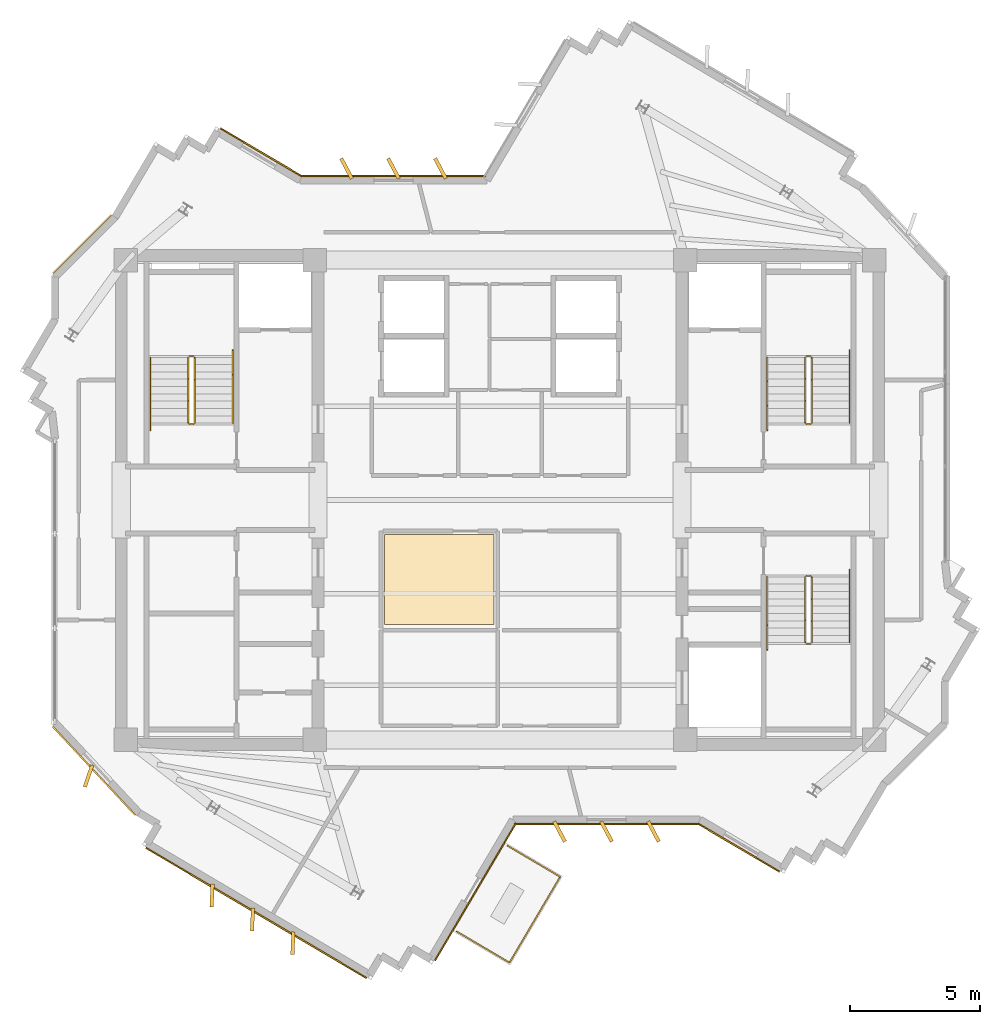
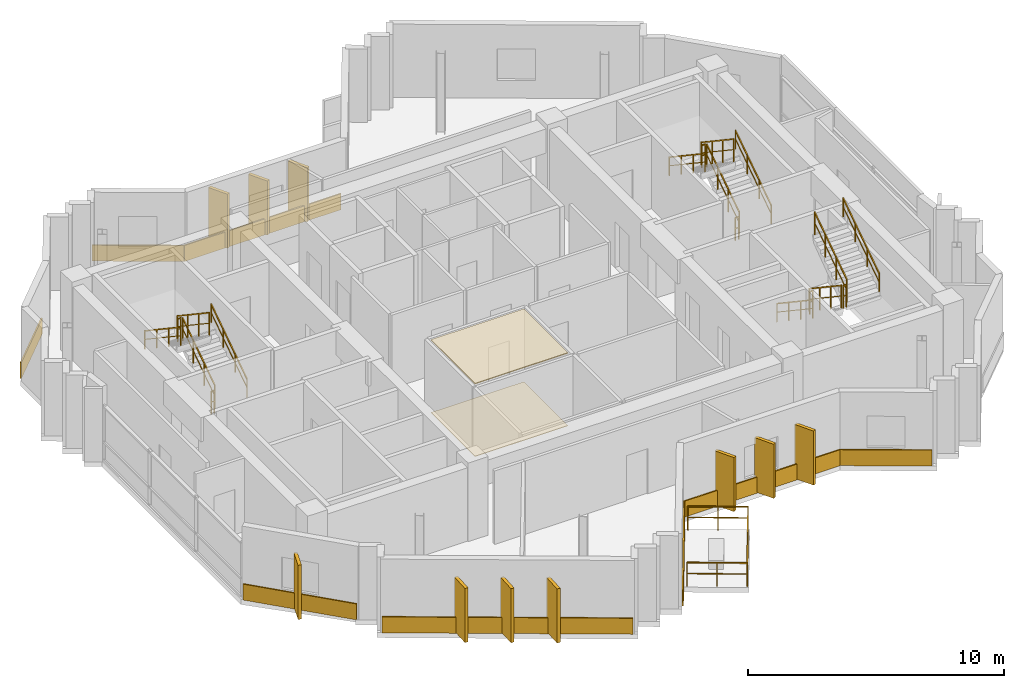
# One storey, part 9 of 10: 21 railings, 20 coverings.
"""IFC4 building model written with IfcOpenShell, lengths in metres."""

from ifc_helpers import new_model, si_unit, direction, frame, origin, origin_2d, place, context, subcontext, project, spatial, polyline, rectangle, outline, extrude, source, transform, mapped, material, layer, layer_set, type_object, element, save


model = new_model("IFC4")

# Units and contexts
model_context = context("Model", 3, precision=1e-05, world=origin(), true_north=direction((0.0, 1.0)))
body_context = subcontext(model_context, "Body", "Model", "MODEL_VIEW")
ifc_project = project(units=[si_unit("LENGTHUNIT", "METRE"), si_unit("AREAUNIT", "SQUARE_METRE"), si_unit("VOLUMEUNIT", "CUBIC_METRE"), si_unit("PLANEANGLEUNIT", "RADIAN"), si_unit("MASSUNIT", "GRAM", prefix="KILO")], contexts=[model_context])

# Site, building, storey
site_placement = place(None, origin())
site = spatial("IfcSite", under=ifc_project, at=site_placement, CompositionType="ELEMENT")
building_placement = place(site_placement, origin())
building = spatial("IfcBuilding", under=site, at=building_placement, Name="Zahravan Cultural Tower", CompositionType="ELEMENT")
storey_placement = place(building_placement, frame((0.0, 0.0, 346.050048828125)))
storey = spatial("IfcBuildingStorey", under=building, at=storey_placement, Name="L84", CompositionType="ELEMENT", Elevation=346.050048828125)

# Coverings
ifc_material_1 = material(Name="Acoustic mineral fibreboard")
ifc_layer_1 = layer(ifc_material_1, 0.0400390625)
ifc_layer_set_1 = layer_set([ifc_layer_1], Name="Acoustic mineral fibreboard")
covering_type_1 = type_object("IfcCoveringType", Name="COV-CEIL-AC20", PredefinedType="CEILING", material=ifc_layer_set_1)
covering_1_placement = place(storey_placement, frame((0.0, 0.0, 3.4599609375)))
element("IfcCovering", 1, at=covering_1_placement, inside=storey, type_object=covering_type_1, Name="L84 Acoustic Suspended Ceiling", PredefinedType="CEILING", context=body_context, shape_type="SweptSolid", body=[
    extrude(outline(polyline([(35.77001953125, 25.669921875), (31.580078125, 25.669921875), (31.580078125, 22.22998046875), (35.77001953125, 22.22998046875), (35.77001953125, 25.669921875)])), origin(), (0.0, 0.0, 1.0), 0.0400390625),
])
ifc_material_2 = material(Name="Terrazzo flooring")
ifc_layer_2 = layer(ifc_material_2, 0.02490234375)
ifc_layer_set_2 = layer_set([ifc_layer_2], Name="Terrazzo flooring")
covering_type_2 = type_object("IfcCoveringType", Name="COV-FLR-TZ25", PredefinedType="FLOORING", material=ifc_layer_set_2)
covering_2_placement = place(storey_placement, origin())
element("IfcCovering", 2, at=covering_2_placement, inside=storey, type_object=covering_type_2, Name="L84 Polished Terrazzo Flooring", PredefinedType="FLOORING", context=body_context, shape_type="SweptSolid", body=[
    extrude(outline(polyline([(35.77001953125, 25.669921875), (31.580078125, 25.669921875), (31.580078125, 22.22998046875), (35.77001953125, 22.22998046875), (35.77001953125, 25.669921875)])), origin(), (0.0, 0.0, 1.0), 0.02490234375),
])

# Railings
ifc_material_3 = material(Name="Steel ASTM A572 Grade 50", Category="steel")
railing_type_1 = type_object("IfcRailingType", Name="RL-BAL-1150", PredefinedType="BALUSTRADE", material=ifc_material_3)
railing_1_placement = place(storey_placement, frame((38.306396484375, 12.552001953125, 0.0)))
element("IfcRailing", 3, at=railing_1_placement, inside=storey, type_object=railing_type_1, Name="L84 Edge Balustrade GRD-TR-L84-SW-01", PredefinedType="BALUSTRADE", context=body_context, shape_type="SweptSolid", body=[
    extrude(rectangle(XDim=0.05, YDim=0.05, at=origin_2d()), frame((0.0, 0.0, 1.125), z_axis=(-0.508307203963, -0.861175816195, 0.0), x_axis=(0.861175816195, -0.508307203963, 0.0)), (0.0, 0.0, 1.0), 3.81982421875),
    extrude(rectangle(XDim=0.032, YDim=0.032, at=origin_2d()), frame((0.0, 0.0, 0.597900390625), z_axis=(-0.508307203963, -0.861175816195, 0.0), x_axis=(0.861175816195, -0.508307203963, 0.0)), (0.0, 0.0, 1.0), 3.81982421875),
    extrude(rectangle(XDim=0.04, YDim=0.04, at=origin_2d()), origin(), (0.0, 0.0, 1.0), 1.14990234375),
    extrude(rectangle(XDim=0.04, YDim=0.04, at=origin_2d()), frame((-0.4853515625, -0.822265625, 0.0)), (0.0, 0.0, 1.0), 1.14990234375),
    extrude(rectangle(XDim=0.04, YDim=0.04, at=origin_2d()), frame((-0.970703125, -1.644775390625, 0.0)), (0.0, 0.0, 1.0), 1.14990234375),
    extrude(rectangle(XDim=0.04, YDim=0.04, at=origin_2d()), frame((-1.456298828125, -2.46728515625, 0.0)), (0.0, 0.0, 1.0), 1.14990234375),
    extrude(rectangle(XDim=0.04, YDim=0.04, at=origin_2d()), frame((-1.941650390625, -3.28955078125, 0.0)), (0.0, 0.0, 1.0), 1.14990234375),
])
railing_2_placement = place(storey_placement, frame((36.36474609375, 9.262451171875, 0.0)))
element("IfcRailing", 4, at=railing_2_placement, inside=storey, type_object=railing_type_1, Name="L84 Edge Balustrade GRD-TR-L84-SW-02", PredefinedType="BALUSTRADE", context=body_context, shape_type="SweptSolid", body=[
    extrude(rectangle(XDim=0.05, YDim=0.05, at=origin_2d()), frame((0.0, 0.0, 1.125), z_axis=(-0.861228334744, 0.508218216353, 0.0), x_axis=(-0.508218216353, -0.861228334744, 0.0)), (0.0, 0.0, 1.0), 2.35009765625),
    extrude(rectangle(XDim=0.032, YDim=0.032, at=origin_2d()), frame((0.0, 0.0, 0.597900390625), z_axis=(-0.861228334744, 0.508218216353, 0.0), x_axis=(-0.508218216353, -0.861228334744, 0.0)), (0.0, 0.0, 1.0), 2.35009765625),
    extrude(rectangle(XDim=0.04, YDim=0.04, at=origin_2d()), origin(), (0.0, 0.0, 1.0), 1.14990234375),
    extrude(rectangle(XDim=0.04, YDim=0.04, at=origin_2d()), frame((-1.011962890625, 0.59716796875, 0.0)), (0.0, 0.0, 1.0), 1.14990234375),
    extrude(rectangle(XDim=0.04, YDim=0.04, at=origin_2d()), frame((-2.02392578125, 1.1943359375, 0.0)), (0.0, 0.0, 1.0), 1.14990234375),
])
railing_3_placement = place(storey_placement, frame((36.28271484375, 13.74658203125, 0.0)))
element("IfcRailing", 5, at=railing_3_placement, inside=storey, type_object=railing_type_1, Name="L84 Edge Balustrade GRD-TR-L84-SW-03", PredefinedType="BALUSTRADE", context=body_context, shape_type="SweptSolid", body=[
    extrude(rectangle(XDim=0.05, YDim=0.05, at=origin_2d()), frame((0.0, 0.0, 1.125), z_axis=(0.861156019915, -0.508340741397, 0.0), x_axis=(0.508340741397, 0.861156019915, 0.0)), (0.0, 0.0, 1.0), 2.349853515625),
    extrude(rectangle(XDim=0.032, YDim=0.032, at=origin_2d()), frame((0.0, 0.0, 0.597900390625), z_axis=(0.861156019915, -0.508340741397, 0.0), x_axis=(0.508340741397, 0.861156019915, 0.0)), (0.0, 0.0, 1.0), 2.349853515625),
    extrude(rectangle(XDim=0.04, YDim=0.04, at=origin_2d()), origin(), (0.0, 0.0, 1.0), 1.14990234375),
    extrude(rectangle(XDim=0.04, YDim=0.04, at=origin_2d()), frame((1.01171875, -0.59716796875, 0.0)), (0.0, 0.0, 1.0), 1.14990234375),
    extrude(rectangle(XDim=0.04, YDim=0.04, at=origin_2d()), frame((2.023681640625, -1.194580078125, 0.0)), (0.0, 0.0, 1.0), 1.14990234375),
])
railing_type_2 = type_object("IfcRailingType", Name="RL-STAIR-GRD1150", PredefinedType="BALUSTRADE", material=ifc_material_3)
railing_4_placement = place(storey_placement, frame((24.300048828125, 29.949951171875, 0.1875)))
element("IfcRailing", 6, at=railing_4_placement, inside=storey, type_object=railing_type_2, Name="L84 ST-W1 stair guard 1", PredefinedType="BALUSTRADE", context=body_context, shape_type="SweptSolid", body=[
    extrude(rectangle(XDim=0.05, YDim=0.05, at=origin_2d()), frame((0.0, 0.0, 1.0751953125), z_axis=(0.0, 0.830909170722, 0.55640807867), x_axis=(-1.0, 0.0, 0.0)), (0.0, 0.0, 1.0), 3.032958984375),
    extrude(rectangle(XDim=0.032, YDim=0.032, at=origin_2d()), frame((0.0, 0.0, 0.572021484375), z_axis=(0.0, 0.830909170722, 0.55640807867), x_axis=(-1.0, 0.0, 0.0)), (0.0, 0.0, 1.0), 3.032958984375),
    extrude(rectangle(XDim=0.04, YDim=0.04, at=origin_2d()), origin(), (0.0, 0.0, 1.0), 1.10009765625),
    extrude(rectangle(XDim=0.04, YDim=0.04, at=origin_2d()), frame((0.0, 0.840087890625, 0.5625)), (0.0, 0.0, 1.0), 1.10009765625),
    extrude(rectangle(XDim=0.04, YDim=0.04, at=origin_2d()), frame((0.0, 1.679931640625, 1.125)), (0.0, 0.0, 1.0), 1.10009765625),
    extrude(rectangle(XDim=0.04, YDim=0.04, at=origin_2d()), frame((0.0, 2.52001953125, 1.6875)), (0.0, 0.0, 1.0), 1.10009765625),
])
railing_5_placement = place(storey_placement, frame((24.25, 32.52001953125, 1.875)))
element("IfcRailing", 7, at=railing_5_placement, inside=storey, type_object=railing_type_2, Name="L84 ST-W1 stair guard 2", PredefinedType="BALUSTRADE", context=body_context, shape_type="SweptSolid", body=[
    extrude(rectangle(XDim=0.05, YDim=0.05, at=origin_2d()), frame((0.0, 0.0, 1.0751953125), z_axis=(-1.0, 0.0, 0.0), x_axis=(0.0, -1.0, 0.0)), (0.0, 0.0, 1.0), 0.14990234375),
    extrude(rectangle(XDim=0.032, YDim=0.032, at=origin_2d()), frame((0.0, 0.0, 0.572021484375), z_axis=(-1.0, 0.0, 0.0), x_axis=(0.0, -1.0, 0.0)), (0.0, 0.0, 1.0), 0.14990234375),
    extrude(rectangle(XDim=0.04, YDim=0.04, at=origin_2d()), origin(), (0.0, 0.0, 1.0), 1.10009765625),
    extrude(rectangle(XDim=0.04, YDim=0.04, at=origin_2d()), frame((-0.14990234375, 0.0, 0.0)), (0.0, 0.0, 1.0), 1.10009765625),
])
railing_6_placement = place(storey_placement, frame((24.050048828125, 32.469970703125, 2.0625)))
element("IfcRailing", 8, at=railing_6_placement, inside=storey, type_object=railing_type_2, Name="L84 ST-W1 stair guard 3", PredefinedType="BALUSTRADE", context=body_context, shape_type="SweptSolid", body=[
    extrude(rectangle(XDim=0.05, YDim=0.05, at=origin_2d()), frame((0.0, 0.0, 1.0751953125), z_axis=(0.0, -0.830909170722, 0.55640807867), x_axis=(1.0, 0.0, 0.0)), (0.0, 0.0, 1.0), 3.032958984375),
    extrude(rectangle(XDim=0.032, YDim=0.032, at=origin_2d()), frame((0.0, 0.0, 0.572021484375), z_axis=(0.0, -0.830909170722, 0.55640807867), x_axis=(1.0, 0.0, 0.0)), (0.0, 0.0, 1.0), 3.032958984375),
    extrude(rectangle(XDim=0.04, YDim=0.04, at=origin_2d()), origin(), (0.0, 0.0, 1.0), 1.10009765625),
    extrude(rectangle(XDim=0.04, YDim=0.04, at=origin_2d()), frame((0.0, -0.840087890625, 0.5625)), (0.0, 0.0, 1.0), 1.10009765625),
    extrude(rectangle(XDim=0.04, YDim=0.04, at=origin_2d()), frame((0.0, -1.679931640625, 1.125)), (0.0, 0.0, 1.0), 1.10009765625),
    extrude(rectangle(XDim=0.04, YDim=0.04, at=origin_2d()), frame((0.0, -2.52001953125, 1.6875)), (0.0, 0.0, 1.0), 1.10009765625),
])
railing_7_placement = place(storey_placement, frame((24.25, 29.89990234375, 0.0)))
element("IfcRailing", 9, at=railing_7_placement, inside=storey, type_object=railing_type_2, Name="L84 ST-W1 stair guard 4", PredefinedType="BALUSTRADE", context=body_context, shape_type="SweptSolid", body=[
    extrude(rectangle(XDim=0.05, YDim=0.05, at=origin_2d()), frame((0.0, 0.0, 1.0751953125), z_axis=(-1.0, 0.0, 0.0), x_axis=(0.0, -1.0, 0.0)), (0.0, 0.0, 1.0), 0.14990234375),
    extrude(rectangle(XDim=0.032, YDim=0.032, at=origin_2d()), frame((0.0, 0.0, 0.572021484375), z_axis=(-1.0, 0.0, 0.0), x_axis=(0.0, -1.0, 0.0)), (0.0, 0.0, 1.0), 0.14990234375),
    extrude(rectangle(XDim=0.04, YDim=0.04, at=origin_2d()), origin(), (0.0, 0.0, 1.0), 1.10009765625),
    extrude(rectangle(XDim=0.04, YDim=0.04, at=origin_2d()), frame((-0.14990234375, 0.0, 0.0)), (0.0, 0.0, 1.0), 1.10009765625),
])
railing_8_placement = place(storey_placement, frame((47.949951171875, 29.949951171875, 0.1875)))
element("IfcRailing", 10, at=railing_8_placement, inside=storey, type_object=railing_type_2, Name="L84 ST-E1 stair guard 1", PredefinedType="BALUSTRADE", context=body_context, shape_type="SweptSolid", body=[
    extrude(rectangle(XDim=0.05, YDim=0.05, at=origin_2d()), frame((0.0, 0.0, 1.0751953125), z_axis=(0.0, 0.830909170722, 0.55640807867), x_axis=(-1.0, 0.0, 0.0)), (0.0, 0.0, 1.0), 3.032958984375),
    extrude(rectangle(XDim=0.032, YDim=0.032, at=origin_2d()), frame((0.0, 0.0, 0.572021484375), z_axis=(0.0, 0.830909170722, 0.55640807867), x_axis=(-1.0, 0.0, 0.0)), (0.0, 0.0, 1.0), 3.032958984375),
    extrude(rectangle(XDim=0.04, YDim=0.04, at=origin_2d()), origin(), (0.0, 0.0, 1.0), 1.10009765625),
    extrude(rectangle(XDim=0.04, YDim=0.04, at=origin_2d()), frame((0.0, 0.840087890625, 0.5625)), (0.0, 0.0, 1.0), 1.10009765625),
    extrude(rectangle(XDim=0.04, YDim=0.04, at=origin_2d()), frame((0.0, 1.679931640625, 1.125)), (0.0, 0.0, 1.0), 1.10009765625),
    extrude(rectangle(XDim=0.04, YDim=0.04, at=origin_2d()), frame((0.0, 2.52001953125, 1.6875)), (0.0, 0.0, 1.0), 1.10009765625),
])
railing_9_placement = place(storey_placement, frame((47.89990234375, 32.52001953125, 1.875)))
element("IfcRailing", 11, at=railing_9_placement, inside=storey, type_object=railing_type_2, Name="L84 ST-E1 stair guard 2", PredefinedType="BALUSTRADE", context=body_context, shape_type="SweptSolid", body=[
    extrude(rectangle(XDim=0.05, YDim=0.05, at=origin_2d()), frame((0.0, 0.0, 1.0751953125), z_axis=(-1.0, 0.0, 0.0), x_axis=(0.0, -1.0, 0.0)), (0.0, 0.0, 1.0), 0.14990234375),
    extrude(rectangle(XDim=0.032, YDim=0.032, at=origin_2d()), frame((0.0, 0.0, 0.572021484375), z_axis=(-1.0, 0.0, 0.0), x_axis=(0.0, -1.0, 0.0)), (0.0, 0.0, 1.0), 0.14990234375),
    extrude(rectangle(XDim=0.04, YDim=0.04, at=origin_2d()), origin(), (0.0, 0.0, 1.0), 1.10009765625),
    extrude(rectangle(XDim=0.04, YDim=0.04, at=origin_2d()), frame((-0.14990234375, 0.0, 0.0)), (0.0, 0.0, 1.0), 1.10009765625),
])
railing_10_placement = place(storey_placement, frame((47.699951171875, 32.469970703125, 2.0625)))
element("IfcRailing", 12, at=railing_10_placement, inside=storey, type_object=railing_type_2, Name="L84 ST-E1 stair guard 3", PredefinedType="BALUSTRADE", context=body_context, shape_type="SweptSolid", body=[
    extrude(rectangle(XDim=0.05, YDim=0.05, at=origin_2d()), frame((0.0, 0.0, 1.0751953125), z_axis=(0.0, -0.830909170722, 0.55640807867), x_axis=(1.0, 0.0, 0.0)), (0.0, 0.0, 1.0), 3.032958984375),
    extrude(rectangle(XDim=0.032, YDim=0.032, at=origin_2d()), frame((0.0, 0.0, 0.572021484375), z_axis=(0.0, -0.830909170722, 0.55640807867), x_axis=(1.0, 0.0, 0.0)), (0.0, 0.0, 1.0), 3.032958984375),
    extrude(rectangle(XDim=0.04, YDim=0.04, at=origin_2d()), origin(), (0.0, 0.0, 1.0), 1.10009765625),
    extrude(rectangle(XDim=0.04, YDim=0.04, at=origin_2d()), frame((0.0, -0.840087890625, 0.5625)), (0.0, 0.0, 1.0), 1.10009765625),
    extrude(rectangle(XDim=0.04, YDim=0.04, at=origin_2d()), frame((0.0, -1.679931640625, 1.125)), (0.0, 0.0, 1.0), 1.10009765625),
    extrude(rectangle(XDim=0.04, YDim=0.04, at=origin_2d()), frame((0.0, -2.52001953125, 1.6875)), (0.0, 0.0, 1.0), 1.10009765625),
])
railing_11_placement = place(storey_placement, frame((47.89990234375, 29.89990234375, 0.0)))
element("IfcRailing", 13, at=railing_11_placement, inside=storey, type_object=railing_type_2, Name="L84 ST-E1 stair guard 4", PredefinedType="BALUSTRADE", context=body_context, shape_type="SweptSolid", body=[
    extrude(rectangle(XDim=0.05, YDim=0.05, at=origin_2d()), frame((0.0, 0.0, 1.0751953125), z_axis=(-1.0, 0.0, 0.0), x_axis=(0.0, -1.0, 0.0)), (0.0, 0.0, 1.0), 0.14990234375),
    extrude(rectangle(XDim=0.032, YDim=0.032, at=origin_2d()), frame((0.0, 0.0, 0.572021484375), z_axis=(-1.0, 0.0, 0.0), x_axis=(0.0, -1.0, 0.0)), (0.0, 0.0, 1.0), 0.14990234375),
    extrude(rectangle(XDim=0.04, YDim=0.04, at=origin_2d()), origin(), (0.0, 0.0, 1.0), 1.10009765625),
    extrude(rectangle(XDim=0.04, YDim=0.04, at=origin_2d()), frame((-0.14990234375, 0.0, 0.0)), (0.0, 0.0, 1.0), 1.10009765625),
])
railing_12_placement = place(storey_placement, frame((47.699951171875, 24.050048828125, 0.1875)))
element("IfcRailing", 14, at=railing_12_placement, inside=storey, type_object=railing_type_2, Name="L84 ST-E2 stair guard 1", PredefinedType="BALUSTRADE", context=body_context, shape_type="SweptSolid", body=[
    extrude(rectangle(XDim=0.05, YDim=0.05, at=origin_2d()), frame((0.0, 0.0, 1.0751953125), z_axis=(0.0, -0.830909170722, 0.55640807867), x_axis=(1.0, 0.0, 0.0)), (0.0, 0.0, 1.0), 3.032958984375),
    extrude(rectangle(XDim=0.032, YDim=0.032, at=origin_2d()), frame((0.0, 0.0, 0.572021484375), z_axis=(0.0, -0.830909170722, 0.55640807867), x_axis=(1.0, 0.0, 0.0)), (0.0, 0.0, 1.0), 3.032958984375),
    extrude(rectangle(XDim=0.04, YDim=0.04, at=origin_2d()), origin(), (0.0, 0.0, 1.0), 1.10009765625),
    extrude(rectangle(XDim=0.04, YDim=0.04, at=origin_2d()), frame((0.0, -0.840087890625, 0.5625)), (0.0, 0.0, 1.0), 1.10009765625),
    extrude(rectangle(XDim=0.04, YDim=0.04, at=origin_2d()), frame((0.0, -1.679931640625, 1.125)), (0.0, 0.0, 1.0), 1.10009765625),
    extrude(rectangle(XDim=0.04, YDim=0.04, at=origin_2d()), frame((0.0, -2.52001953125, 1.6875)), (0.0, 0.0, 1.0), 1.10009765625),
])
railing_13_placement = place(storey_placement, frame((47.75, 21.47998046875, 1.875)))
element("IfcRailing", 15, at=railing_13_placement, inside=storey, type_object=railing_type_2, Name="L84 ST-E2 stair guard 2", PredefinedType="BALUSTRADE", context=body_context, shape_type="SweptSolid", body=[
    extrude(rectangle(XDim=0.05, YDim=0.05, at=origin_2d()), frame((0.0, 0.0, 1.0751953125), z_axis=(1.0, 0.0, 0.0), x_axis=(0.0, 1.0, 0.0)), (0.0, 0.0, 1.0), 0.14990234375),
    extrude(rectangle(XDim=0.032, YDim=0.032, at=origin_2d()), frame((0.0, 0.0, 0.572021484375), z_axis=(1.0, 0.0, 0.0), x_axis=(0.0, 1.0, 0.0)), (0.0, 0.0, 1.0), 0.14990234375),
    extrude(rectangle(XDim=0.04, YDim=0.04, at=origin_2d()), origin(), (0.0, 0.0, 1.0), 1.10009765625),
    extrude(rectangle(XDim=0.04, YDim=0.04, at=origin_2d()), frame((0.14990234375, 0.0, 0.0)), (0.0, 0.0, 1.0), 1.10009765625),
])
railing_14_placement = place(storey_placement, frame((47.949951171875, 21.530029296875, 2.0625)))
element("IfcRailing", 16, at=railing_14_placement, inside=storey, type_object=railing_type_2, Name="L84 ST-E2 stair guard 3", PredefinedType="BALUSTRADE", context=body_context, shape_type="SweptSolid", body=[
    extrude(rectangle(XDim=0.05, YDim=0.05, at=origin_2d()), frame((0.0, 0.0, 1.0751953125), z_axis=(0.0, 0.830909170722, 0.55640807867), x_axis=(-1.0, 0.0, 0.0)), (0.0, 0.0, 1.0), 3.032958984375),
    extrude(rectangle(XDim=0.032, YDim=0.032, at=origin_2d()), frame((0.0, 0.0, 0.572021484375), z_axis=(0.0, 0.830909170722, 0.55640807867), x_axis=(-1.0, 0.0, 0.0)), (0.0, 0.0, 1.0), 3.032958984375),
    extrude(rectangle(XDim=0.04, YDim=0.04, at=origin_2d()), origin(), (0.0, 0.0, 1.0), 1.10009765625),
    extrude(rectangle(XDim=0.04, YDim=0.04, at=origin_2d()), frame((0.0, 0.840087890625, 0.5625)), (0.0, 0.0, 1.0), 1.10009765625),
    extrude(rectangle(XDim=0.04, YDim=0.04, at=origin_2d()), frame((0.0, 1.679931640625, 1.125)), (0.0, 0.0, 1.0), 1.10009765625),
    extrude(rectangle(XDim=0.04, YDim=0.04, at=origin_2d()), frame((0.0, 2.52001953125, 1.6875)), (0.0, 0.0, 1.0), 1.10009765625),
])
railing_15_placement = place(storey_placement, frame((47.75, 24.10009765625, 0.0)))
element("IfcRailing", 17, at=railing_15_placement, inside=storey, type_object=railing_type_2, Name="L84 ST-E2 stair guard 4", PredefinedType="BALUSTRADE", context=body_context, shape_type="SweptSolid", body=[
    extrude(rectangle(XDim=0.05, YDim=0.05, at=origin_2d()), frame((0.0, 0.0, 1.0751953125), z_axis=(1.0, 0.0, 0.0), x_axis=(0.0, 1.0, 0.0)), (0.0, 0.0, 1.0), 0.14990234375),
    extrude(rectangle(XDim=0.032, YDim=0.032, at=origin_2d()), frame((0.0, 0.0, 0.572021484375), z_axis=(1.0, 0.0, 0.0), x_axis=(0.0, 1.0, 0.0)), (0.0, 0.0, 1.0), 0.14990234375),
    extrude(rectangle(XDim=0.04, YDim=0.04, at=origin_2d()), origin(), (0.0, 0.0, 1.0), 1.10009765625),
    extrude(rectangle(XDim=0.04, YDim=0.04, at=origin_2d()), frame((0.14990234375, 0.0, 0.0)), (0.0, 0.0, 1.0), 1.10009765625),
])
railing_type_3 = type_object("IfcRailingType", Name="RL-STAIR-HR900", PredefinedType="HANDRAIL", material=ifc_material_3)
railing_16_placement = place(storey_placement, frame((25.75, 29.949951171875, 0.1875)))
element("IfcRailing", 18, at=railing_16_placement, inside=storey, type_object=railing_type_3, Name="L84 ST-W1 stair handrail 1", PredefinedType="HANDRAIL", context=body_context, shape_type="SweptSolid", body=[
    extrude(rectangle(XDim=0.05, YDim=0.05, at=origin_2d()), frame((0.0, 0.0, 0.875), z_axis=(0.0, 0.830911662861, 0.55640435703), x_axis=(-1.0, 0.0, 0.0)), (0.0, 0.0, 1.0), 3.369873046875),
    extrude(rectangle(XDim=0.032, YDim=0.032, at=origin_2d()), frame((0.0, 0.0, 0.468017578125), z_axis=(0.0, 0.830911662861, 0.55640435703), x_axis=(-1.0, 0.0, 0.0)), (0.0, 0.0, 1.0), 3.369873046875),
    extrude(rectangle(XDim=0.04, YDim=0.04, at=origin_2d()), origin(), (0.0, 0.0, 1.0), 0.89990234375),
    extrude(rectangle(XDim=0.04, YDim=0.04, at=origin_2d()), frame((0.0, 0.933349609375, 0.625)), (0.0, 0.0, 1.0), 0.89990234375),
    extrude(rectangle(XDim=0.04, YDim=0.04, at=origin_2d()), frame((0.0, 1.86669921875, 1.25)), (0.0, 0.0, 1.0), 0.89990234375),
    extrude(rectangle(XDim=0.04, YDim=0.04, at=origin_2d()), frame((0.0, 2.800048828125, 1.875)), (0.0, 0.0, 1.0), 0.89990234375),
])
railing_17_placement = place(storey_placement, frame((22.60009765625, 32.469970703125, 2.0625)))
element("IfcRailing", 19, at=railing_17_placement, inside=storey, type_object=railing_type_3, Name="L84 ST-W1 stair handrail 2", PredefinedType="HANDRAIL", context=body_context, shape_type="SweptSolid", body=[
    extrude(rectangle(XDim=0.05, YDim=0.05, at=origin_2d()), frame((0.0, 0.0, 0.875), z_axis=(0.0, -0.830911662861, 0.55640435703), x_axis=(1.0, 0.0, 0.0)), (0.0, 0.0, 1.0), 3.369873046875),
    extrude(rectangle(XDim=0.032, YDim=0.032, at=origin_2d()), frame((0.0, 0.0, 0.468017578125), z_axis=(0.0, -0.830911662861, 0.55640435703), x_axis=(1.0, 0.0, 0.0)), (0.0, 0.0, 1.0), 3.369873046875),
    extrude(rectangle(XDim=0.04, YDim=0.04, at=origin_2d()), origin(), (0.0, 0.0, 1.0), 0.89990234375),
    extrude(rectangle(XDim=0.04, YDim=0.04, at=origin_2d()), frame((0.0, -0.933349609375, 0.625)), (0.0, 0.0, 1.0), 0.89990234375),
    extrude(rectangle(XDim=0.04, YDim=0.04, at=origin_2d()), frame((0.0, -1.86669921875, 1.25)), (0.0, 0.0, 1.0), 0.89990234375),
    extrude(rectangle(XDim=0.04, YDim=0.04, at=origin_2d()), frame((0.0, -2.800048828125, 1.875)), (0.0, 0.0, 1.0), 0.89990234375),
])
railing_18_placement = place(storey_placement, frame((49.39990234375, 29.949951171875, 0.1875)))
element("IfcRailing", 20, at=railing_18_placement, inside=storey, type_object=railing_type_3, Name="L84 ST-E1 stair handrail 1", PredefinedType="HANDRAIL", context=body_context, shape_type="SweptSolid", body=[
    extrude(rectangle(XDim=0.05, YDim=0.05, at=origin_2d()), frame((0.0, 0.0, 0.875), z_axis=(0.0, 0.830911662861, 0.55640435703), x_axis=(-1.0, 0.0, 0.0)), (0.0, 0.0, 1.0), 3.369873046875),
    extrude(rectangle(XDim=0.032, YDim=0.032, at=origin_2d()), frame((0.0, 0.0, 0.468017578125), z_axis=(0.0, 0.830911662861, 0.55640435703), x_axis=(-1.0, 0.0, 0.0)), (0.0, 0.0, 1.0), 3.369873046875),
    extrude(rectangle(XDim=0.04, YDim=0.04, at=origin_2d()), origin(), (0.0, 0.0, 1.0), 0.89990234375),
    extrude(rectangle(XDim=0.04, YDim=0.04, at=origin_2d()), frame((0.0, 0.933349609375, 0.625)), (0.0, 0.0, 1.0), 0.89990234375),
    extrude(rectangle(XDim=0.04, YDim=0.04, at=origin_2d()), frame((0.0, 1.86669921875, 1.25)), (0.0, 0.0, 1.0), 0.89990234375),
    extrude(rectangle(XDim=0.04, YDim=0.04, at=origin_2d()), frame((0.0, 2.800048828125, 1.875)), (0.0, 0.0, 1.0), 0.89990234375),
])
for number, where, name in (
    (21, (46.25, 32.469970703125, 2.0625), "L84 ST-E1 stair handrail 2"),
    (22, (46.25, 24.050048828125, 0.1875), "L84 ST-E2 stair handrail 1"),
):
    element("IfcRailing", number, at=place(storey_placement, frame(where)), inside=storey, type_object=railing_type_3, Name=name, PredefinedType="HANDRAIL", context=body_context, shape_type="SweptSolid", body=[
        extrude(rectangle(XDim=0.05, YDim=0.05, at=origin_2d()), frame((0.0, 0.0, 0.875), z_axis=(0.0, -0.830911662861, 0.55640435703), x_axis=(1.0, 0.0, 0.0)), (0.0, 0.0, 1.0), 3.369873046875),
        extrude(rectangle(XDim=0.032, YDim=0.032, at=origin_2d()), frame((0.0, 0.0, 0.468017578125), z_axis=(0.0, -0.830911662861, 0.55640435703), x_axis=(1.0, 0.0, 0.0)), (0.0, 0.0, 1.0), 3.369873046875),
        extrude(rectangle(XDim=0.04, YDim=0.04, at=origin_2d()), origin(), (0.0, 0.0, 1.0), 0.89990234375),
        extrude(rectangle(XDim=0.04, YDim=0.04, at=origin_2d()), frame((0.0, -0.933349609375, 0.625)), (0.0, 0.0, 1.0), 0.89990234375),
        extrude(rectangle(XDim=0.04, YDim=0.04, at=origin_2d()), frame((0.0, -1.86669921875, 1.25)), (0.0, 0.0, 1.0), 0.89990234375),
        extrude(rectangle(XDim=0.04, YDim=0.04, at=origin_2d()), frame((0.0, -2.800048828125, 1.875)), (0.0, 0.0, 1.0), 0.89990234375),
    ])
railing_19_placement = place(storey_placement, frame((49.39990234375, 21.530029296875, 2.0625)))
element("IfcRailing", 23, at=railing_19_placement, inside=storey, type_object=railing_type_3, Name="L84 ST-E2 stair handrail 2", PredefinedType="HANDRAIL", context=body_context, shape_type="SweptSolid", body=[
    extrude(rectangle(XDim=0.05, YDim=0.05, at=origin_2d()), frame((0.0, 0.0, 0.875), z_axis=(0.0, 0.830911662861, 0.55640435703), x_axis=(-1.0, 0.0, 0.0)), (0.0, 0.0, 1.0), 3.369873046875),
    extrude(rectangle(XDim=0.032, YDim=0.032, at=origin_2d()), frame((0.0, 0.0, 0.468017578125), z_axis=(0.0, 0.830911662861, 0.55640435703), x_axis=(-1.0, 0.0, 0.0)), (0.0, 0.0, 1.0), 3.369873046875),
    extrude(rectangle(XDim=0.04, YDim=0.04, at=origin_2d()), origin(), (0.0, 0.0, 1.0), 0.89990234375),
    extrude(rectangle(XDim=0.04, YDim=0.04, at=origin_2d()), frame((0.0, 0.933349609375, 0.625)), (0.0, 0.0, 1.0), 0.89990234375),
    extrude(rectangle(XDim=0.04, YDim=0.04, at=origin_2d()), frame((0.0, 1.86669921875, 1.25)), (0.0, 0.0, 1.0), 0.89990234375),
    extrude(rectangle(XDim=0.04, YDim=0.04, at=origin_2d()), frame((0.0, 2.800048828125, 1.875)), (0.0, 0.0, 1.0), 0.89990234375),
])

# Coverings
ifc_material_4 = material(Name="Terracotta ceramic cladding", Category="masonry")
ifc_layer_3 = layer(ifc_material_4, 0.06005859375)
ifc_layer_set_3 = layer_set([ifc_layer_3], Name="Terracotta ceramic cladding")
covering_type_3 = type_object("IfcCoveringType", Name="COV-CLAD-TC60", PredefinedType="CLADDING", material=ifc_layer_set_3)
shared_shape_1 = source(origin(), body_context, "Body", "SweptSolid", [
    extrude(rectangle(XDim=9.820068359375, YDim=0.06005859375, at=origin_2d()), origin(), (0.0, 0.0, 1.0), 0.760009765625),
])
covering_3_placement = place(storey_placement, frame((26.655029296875, 11.1669921875, 0.02001953125), z_axis=(0.0, 0.0, 1.0), x_axis=(-0.861185921638, 0.508290082898, 0.0)))
element("IfcCovering", 24, at=covering_3_placement, inside=storey, type_object=covering_type_3, Name="L84 Terracotta Spandrel Cladding 29", PredefinedType="CLADDING", context=body_context, shape_type="MappedRepresentation", body=[
    mapped(shared_shape_1, transform((0.0, 0.0, 0.0), x_axis=(1.0, 0.0, 0.0), y_axis=(0.0, 1.0, 0.0), z_axis=(0.0, 0.0, 1.0), scale=1.0)),
])
shared_shape_2 = source(origin(), body_context, "Body", "SweptSolid", [
    extrude(rectangle(XDim=0.8798828125, YDim=0.139892578125, at=origin_2d()), origin(), (0.0, 0.0, 1.0), 2.580078125),
])
for number, where, z_axis, x_axis, name in (
    (25, (41.88330078125, 14.2900390625, 0.0498046875), (0.0, 0.0, 1.0), (0.469471562786, -0.882947592859, 0.0), "L84 Herringbone Terracotta Fin 07"),
    (26, (40.083251953125, 14.2900390625, 0.0498046875), (0.0, 0.0, 1.0), (0.469471562786, -0.882947592859, 0.0), "L84 Herringbone Terracotta Fin 08"),
    (27, (38.283203125, 14.2900390625, 0.0498046875), (0.0, 0.0, 1.0), (0.469471562786, -0.882947592859, 0.0), "L84 Herringbone Terracotta Fin 09"),
    (28, (28.060302734375, 10.006591796875, 0.0498046875), (0.0, 0.0, 1.0), (-0.044491204688, -0.999009776081, 0.0), "L84 Herringbone Terracotta Fin 10"),
    (29, (26.51025390625, 10.921630859375, 0.0498046875), (0.0, 0.0, 1.0), (-0.044491204688, -0.999009776081, 0.0), "L84 Herringbone Terracotta Fin 11"),
    (30, (24.9599609375, 11.83642578125, 0.0498046875), (0.0, 0.0, 1.0), (-0.044491204688, -0.999009776081, 0.0), "L84 Herringbone Terracotta Fin 12"),
    (31, (20.224609375, 16.41943359375, 0.0498046875), (0.0, 0.0, 1.0), (-0.32591468324, -0.945399185132, 0.0), "L84 Herringbone Terracotta Fin 13"),
    (32, (30.11669921875, 39.7099609375, 0.0498046875), (0.0, 0.0, 1.0), (-0.469471562786, 0.882947592859, 0.0), "L84 Herringbone Terracotta Fin 14"),
    (33, (31.916748046875, 39.7099609375, 0.0498046875), (0.0, 0.0, 1.0), (-0.469471562786, 0.882947592859, 0.0), "L84 Herringbone Terracotta Fin 15"),
    (34, (33.716796875, 39.7099609375, 0.0498046875), (0.0, 0.0, 1.0), (-0.469471562786, 0.882947592859, 0.0), "L84 Herringbone Terracotta Fin 16"),
):
    element("IfcCovering", number, at=place(storey_placement, frame(where, z_axis=z_axis, x_axis=x_axis)), inside=storey, type_object=covering_type_3, Name=name, PredefinedType="CLADDING", context=body_context, shape_type="MappedRepresentation", body=[
        mapped(shared_shape_2, transform((0.0, 0.0, 0.0), x_axis=(1.0, 0.0, 0.0), y_axis=(0.0, 1.0, 0.0), z_axis=(0.0, 0.0, 1.0), scale=1.0)),
    ])
shared_shape_3 = source(origin(), body_context, "Body", "SweptSolid", [
    extrude(rectangle(XDim=6.11474609375, YDim=0.06005859375, at=origin_2d()), origin(), (0.0, 0.0, 1.0), 0.760009765625),
])
covering_4_placement = place(storey_placement, frame((35.06005859375, 11.97998046875, 0.02001953125), z_axis=(0.0, 0.0, 1.0), x_axis=(-0.508275052291, -0.861194792842, 0.0)))
element("IfcCovering", 35, at=covering_4_placement, inside=storey, type_object=covering_type_3, Name="L84 Terracotta Spandrel Cladding 24", PredefinedType="CLADDING", context=body_context, shape_type="MappedRepresentation", body=[
    mapped(shared_shape_3, transform((0.0, 0.0, 0.0), x_axis=(1.0, 0.0, 0.0), y_axis=(0.0, 1.0, 0.0), z_axis=(0.0, 0.0, 1.0), scale=1.0)),
])
shared_shape_4 = source(origin(), body_context, "Body", "SweptSolid", [
    extrude(rectangle(XDim=4.63427734375, YDim=0.06005859375, at=origin_2d()), origin(), (0.0, 0.0, 1.0), 0.760009765625),
])
covering_5_placement = place(storey_placement, frame((20.43310546875, 16.61376953125, 0.02001953125), z_axis=(0.0, 0.0, 1.0), x_axis=(-0.681730259128, 0.731603617944, 0.0)))
element("IfcCovering", 36, at=covering_5_placement, inside=storey, type_object=covering_type_3, Name="L84 Terracotta Spandrel Cladding 32", PredefinedType="CLADDING", context=body_context, shape_type="MappedRepresentation", body=[
    mapped(shared_shape_4, transform((0.0, 0.0, 0.0), x_axis=(1.0, 0.0, 0.0), y_axis=(0.0, 1.0, 0.0), z_axis=(0.0, 0.0, 1.0), scale=1.0)),
])
shared_shape_5 = source(origin(), body_context, "Body", "SweptSolid", [
    extrude(rectangle(XDim=3.160400390625, YDim=0.06005859375, at=origin_2d()), origin(), (0.0, 0.0, 1.0), 0.760009765625),
])
covering_6_placement = place(storey_placement, frame((19.97607421875, 36.8115234375, 0.02001953125), z_axis=(0.0, 0.0, 1.0), x_axis=(0.707094439737, 0.70711912242, 0.0)))
element("IfcCovering", 37, at=covering_6_placement, inside=storey, type_object=covering_type_3, Name="L84 Terracotta Spandrel Cladding 39", PredefinedType="CLADDING", context=body_context, shape_type="MappedRepresentation", body=[
    mapped(shared_shape_5, transform((0.0, 0.0, 0.0), x_axis=(1.0, 0.0, 0.0), y_axis=(0.0, 1.0, 0.0), z_axis=(0.0, 0.0, 1.0), scale=1.0)),
])
shared_shape_6 = source(origin(), body_context, "Body", "SweptSolid", [
    extrude(rectangle(XDim=3.583984375, YDim=0.06005859375, at=origin_2d()), origin(), (0.0, 0.0, 1.0), 0.760009765625),
])
for number, where, z_axis, x_axis, name in (
    (38, (45.17138671875, 13.66162109375, 0.02001953125), (0.0, 0.0, 1.0), (-0.861185921638, 0.508290082898, 0.0), "L84 Terracotta Spandrel Cladding 22"),
    (39, (26.82861328125, 40.33837890625, 0.02001953125), (0.0, 0.0, 1.0), (0.861185921638, -0.508290082898, 0.0), "L84 Terracotta Spandrel Cladding 45"),
):
    element("IfcCovering", number, at=place(storey_placement, frame(where, z_axis=z_axis, x_axis=x_axis)), inside=storey, type_object=covering_type_3, Name=name, PredefinedType="CLADDING", context=body_context, shape_type="MappedRepresentation", body=[
        mapped(shared_shape_6, transform((0.0, 0.0, 0.0), x_axis=(1.0, 0.0, 0.0), y_axis=(0.0, 1.0, 0.0), z_axis=(0.0, 0.0, 1.0), scale=1.0)),
    ])
shared_shape_7 = source(origin(), body_context, "Body", "SweptSolid", [
    extrude(rectangle(XDim=7.07177734375, YDim=0.06005859375, at=origin_2d()), origin(), (0.0, 0.0, 1.0), 0.760009765625),
])
for number, where, z_axis, x_axis, name in (
    (40, (40.083251953125, 14.574951171875, 0.02001953125), (0.0, 0.0, 1.0), (-1.0, 0.0, 0.0), "L84 Terracotta Spandrel Cladding 23"),
    (41, (31.916748046875, 39.425048828125, 0.02001953125), (0.0, 0.0, 1.0), (1.0, 0.0, 0.0), "L84 Terracotta Spandrel Cladding 46"),
):
    element("IfcCovering", number, at=place(storey_placement, frame(where, z_axis=z_axis, x_axis=x_axis)), inside=storey, type_object=covering_type_3, Name=name, PredefinedType="CLADDING", context=body_context, shape_type="MappedRepresentation", body=[
        mapped(shared_shape_7, transform((0.0, 0.0, 0.0), x_axis=(1.0, 0.0, 0.0), y_axis=(0.0, 1.0, 0.0), z_axis=(0.0, 0.0, 1.0), scale=1.0)),
    ])

save(model, "model.ifc")
